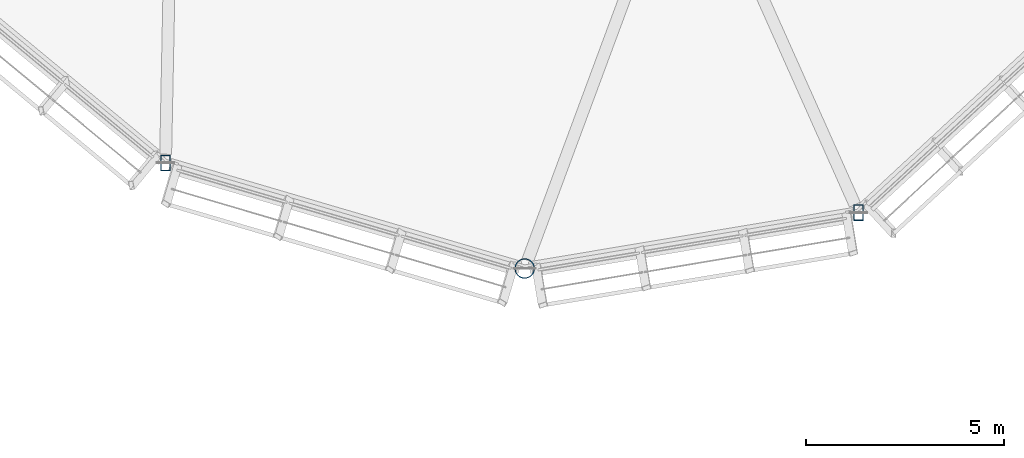
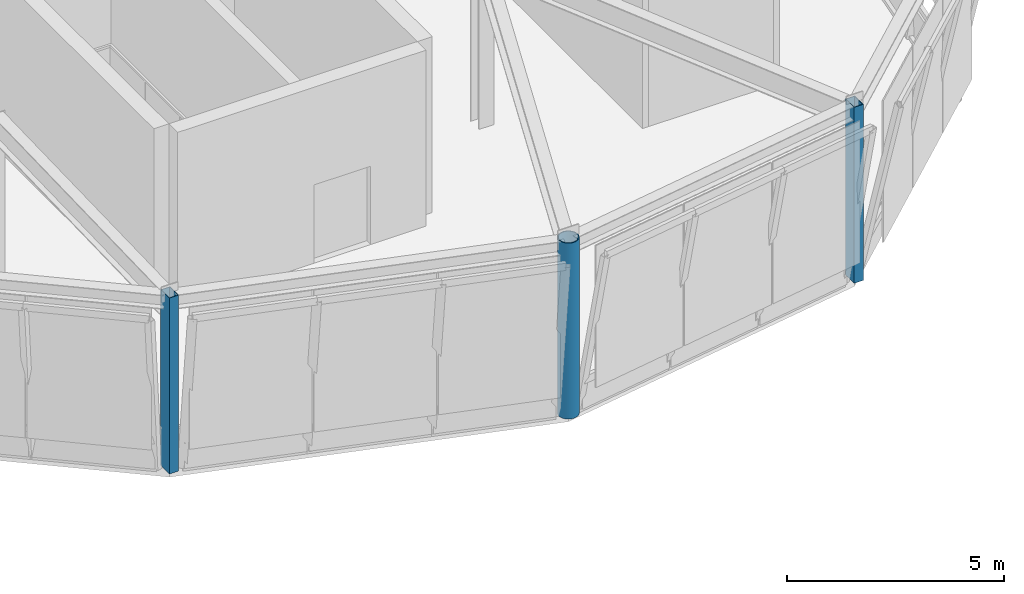
# One storey, part 4 of 113: 3 columns.
"""IFC4 building model written with IfcOpenShell, lengths in metres."""

import ifcopenshell
import ifcopenshell.guid

model = None  # the IFC model being written
_history = None  # IfcOwnerHistory: only IFC2X3 demands one
_inside = {}  # id of a spatial element -> (the spatial element, [elements in it])
_under = {}  # id of a project, library or spatial element -> (it, [spatial elements below it])
_declared = {}  # id of a project -> (the project, [libraries it declares])
_typed = {}  # id of a type object -> (the type object, [elements of that type])
_made_of = {}  # id of a material, layer set ... -> (it, [elements and type objects made of it])


def new_model(schema):
    """Start an empty IFC model of exactly this schema.

    Asked for "IFC4X3", IfcOpenShell would pick the latest addendum, in which some entities
    have other attributes; the version numbers below select the first issue.
    IFC2X3 requires an IfcOwnerHistory on every rooted entity: one is made here for all.
    """
    global model, _history
    if schema == "IFC4X3":
        model = ifcopenshell.file(schema_version=(4, 3, 0, 0))
    else:
        model = ifcopenshell.file(schema=schema)
    _inside.clear()
    _under.clear()
    _declared.clear()
    _typed.clear()
    _made_of.clear()
    _history = None
    if model.schema == "IFC2X3":
        org = make("IfcOrganization", Name="unknown")
        user = make(
            "IfcPersonAndOrganization",
            ThePerson=make("IfcPerson", FamilyName="unknown"),
            TheOrganization=org,
        )
        app = make(
            "IfcApplication",
            ApplicationDeveloper=org,
            Version="unknown",
            ApplicationFullName="unknown",
            ApplicationIdentifier="unknown",
        )
        _history = make(
            "IfcOwnerHistory",
            OwningUser=user,
            OwningApplication=app,
            ChangeAction="ADDED",
            CreationDate=0,
        )
    return model


def make(cls, **values):
    """One entity of the class cls with the attributes given. An attribute that is None is left unset."""
    return model.create_entity(
        cls, **{name: value for name, value in values.items() if value is not None}
    )


def rooted(cls, **values):
    """An entity with a GlobalId (a new one), such as an element, a storey or a relation."""
    return make(cls, GlobalId=ifcopenshell.guid.new(), OwnerHistory=_history, **values)


def si_unit(unit_type, name, prefix=None):
    """IfcSIUnit, for example si_unit("LENGTHUNIT", "METRE", prefix="MILLI")."""
    return make("IfcSIUnit", UnitType=unit_type, Prefix=prefix, Name=name)


def assignment(units):
    """IfcUnitAssignment: the units of a project."""
    return None if units is None else make("IfcUnitAssignment", Units=units)


def point(xyz):
    """IfcCartesianPoint."""
    return None if xyz is None else make("IfcCartesianPoint", Coordinates=xyz)


def direction(xyz):
    """IfcDirection."""
    return None if xyz is None else make("IfcDirection", DirectionRatios=xyz)


def frame(location, z_axis=None, x_axis=None):
    """IfcAxis2Placement3D, a coordinate frame: its origin and axes. An axis left out is left unset."""
    return make(
        "IfcAxis2Placement3D",
        Location=point(location),
        Axis=direction(z_axis),
        RefDirection=direction(x_axis),
    )


def frame_2d(location, x_axis=None):
    """IfcAxis2Placement2D, a coordinate frame in the plane: its origin and x axis."""
    return make(
        "IfcAxis2Placement2D", Location=point(location), RefDirection=direction(x_axis)
    )


def origin():
    """The frame at (0, 0, 0) with its axes left unset."""
    return frame((0.0, 0.0, 0.0))


def origin_2d():
    """The frame at (0, 0) in the plane with its x axis left unset."""
    return frame_2d((0.0, 0.0))


def place(relative_to, where):
    """IfcLocalPlacement: puts the frame where relative to a parent placement (None: the world)."""
    return make(
        "IfcLocalPlacement", PlacementRelTo=relative_to, RelativePlacement=where
    )


def context(
    kind, dimensions, precision=None, world=None, true_north=None, identifier=None
):
    """IfcGeometricRepresentationContext, for example the 3D "Model" context."""
    return make(
        "IfcGeometricRepresentationContext",
        ContextIdentifier=identifier,
        ContextType=kind,
        CoordinateSpaceDimension=dimensions,
        Precision=precision,
        WorldCoordinateSystem=world,
        TrueNorth=true_north,
    )


def subcontext(parent, identifier, kind, view, scale=None):
    """IfcGeometricRepresentationSubContext, for example "Body" below "Model"."""
    return make(
        "IfcGeometricRepresentationSubContext",
        ContextIdentifier=identifier,
        ContextType=kind,
        ParentContext=parent,
        TargetScale=scale,
        TargetView=view,
    )


def project(units=None, contexts=None):
    """IfcProject with its units and contexts."""
    return rooted(
        "IfcProject",
        Name="project",
        RepresentationContexts=contexts,
        UnitsInContext=assignment(units),
    )


def spatial(cls, under=None, at=None, **own):
    """A site, building, storey or space (cls), placed at a placement, below another one or the project."""
    s = rooted(cls, ObjectPlacement=at, **own)
    if under is not None:
        _under.setdefault(under.id(), (under, []))[1].append(s)
    return s


def profile(cls, at=None, kind="AREA", **sizes):
    """A parametric profile (cls). Its sizes go by their IFC names, for example OverallWidth=200.0."""
    return make(cls, ProfileType=kind, Position=at, **sizes)


def hollow_rectangle(**sizes):
    """IfcRectangleHollowProfileDef."""
    return profile("IfcRectangleHollowProfileDef", **sizes)


def hollow_circle(**sizes):
    """IfcCircleHollowProfileDef."""
    return profile("IfcCircleHollowProfileDef", **sizes)


def extrude(swept, where, along, depth):
    """IfcExtrudedAreaSolid: the profile swept, set in the frame where, extruded along a direction by depth."""
    return make(
        "IfcExtrudedAreaSolid",
        SweptArea=swept,
        Position=where,
        ExtrudedDirection=direction(along),
        Depth=depth,
    )


def shape(context_of_items, identifier, shape_type, items):
    """IfcShapeRepresentation: the items that make up one representation, for example the "Body"."""
    return make(
        "IfcShapeRepresentation",
        ContextOfItems=context_of_items,
        RepresentationIdentifier=identifier,
        RepresentationType=shape_type,
        Items=items,
    )


def material(Name=None, Category=None):
    """IfcMaterial."""
    return make("IfcMaterial", Name=Name, Category=Category)


def material_profile(
    of_material, cross_section, Name=None, Category=None, Priority=None
):
    """IfcMaterialProfile: a cross section and its material."""
    return make(
        "IfcMaterialProfile",
        Name=Name,
        Material=of_material,
        Profile=cross_section,
        Priority=Priority,
        Category=Category,
    )


def profile_set(profiles, Name=None, composite=None):
    """IfcMaterialProfileSet."""
    return make(
        "IfcMaterialProfileSet",
        Name=Name,
        MaterialProfiles=profiles,
        CompositeProfile=composite,
    )


def made_of(thing, what):
    """Note that an element or type object is made of a material, layer set ...; save() writes the relation."""
    if what is not None:
        _made_of.setdefault(what.id(), (what, []))[1].append(thing)
    return thing


def type_object(cls, material=None, **own):
    """A type object (cls), such as IfcWallType, which elements share."""
    return made_of(rooted(cls, **own), material)


def element(
    cls,
    number,
    at=None,
    inside=None,
    cuts=None,
    type_object=None,
    material=None,
    context=None,
    identifier="Body",
    shape_type=None,
    held_by="IfcProductDefinitionShape",
    body=None,
    shapes=None,
    **own,
):
    """One element of the class cls, such as IfcWall. Its Tag is "e" and its number.

    at: its placement. inside: the storey or other place that contains it. cuts: it is an
    opening in that element (IfcRelVoidsElement). A single representation is given by context,
    identifier, shape_type and body (its items); several are given by shapes. held_by: the class
    of the entity that holds the representations. save() writes the other relations.
    """
    e = rooted(cls, Tag="e%d" % number, ObjectPlacement=at, **own)
    if body is not None:
        shapes = [shape(context, identifier, shape_type, body)]
    if shapes is not None:
        e.Representation = make(held_by, Representations=shapes)
    if inside is not None:
        _inside.setdefault(inside.id(), (inside, []))[1].append(e)
    if cuts is not None:
        rooted(
            "IfcRelVoidsElement", RelatingBuildingElement=cuts, RelatedOpeningElement=e
        )
    if type_object is not None:
        _typed.setdefault(type_object.id(), (type_object, []))[1].append(e)
    return made_of(e, material)


def aggregate(whole, parts):
    """IfcRelAggregates: a whole, such as a stair, and the parts it consists of."""
    return rooted("IfcRelAggregates", RelatingObject=whole, RelatedObjects=parts)


def save(model, path):
    """Write the relations noted so far, then the file.

    IfcRelAggregates (storeys below a building ...), IfcRelContainedInSpatialStructure (elements
    in a storey), IfcRelDefinesByType, IfcRelAssociatesMaterial and IfcRelDeclares: one each for
    every whole, place, type object, material and project.
    """
    for whole, parts in _under.values():
        aggregate(whole, parts)
    for where, things in _inside.values():
        rooted(
            "IfcRelContainedInSpatialStructure",
            RelatedElements=things,
            RelatingStructure=where,
        )
    for kind, things in _typed.values():
        rooted("IfcRelDefinesByType", RelatedObjects=things, RelatingType=kind)
    for what, things in _made_of.values():
        rooted("IfcRelAssociatesMaterial", RelatedObjects=things, RelatingMaterial=what)
    for by, libraries in _declared.values():
        rooted("IfcRelDeclares", RelatingContext=by, RelatedDefinitions=libraries)
    model.write(path)


model = new_model("IFC4")

# Units and contexts
model_context = context("Model", 3, precision=1e-05, world=origin(), true_north=direction((0.0, 1.0)))
body_context = subcontext(model_context, "Body", "Model", "MODEL_VIEW")
ifc_project = project(units=[si_unit("LENGTHUNIT", "METRE"), si_unit("AREAUNIT", "SQUARE_METRE"), si_unit("VOLUMEUNIT", "CUBIC_METRE"), si_unit("PLANEANGLEUNIT", "RADIAN"), si_unit("MASSUNIT", "GRAM", prefix="KILO")], contexts=[model_context])

# Site, building, storey
site_placement = place(None, origin())
site = spatial("IfcSite", under=ifc_project, at=site_placement, CompositionType="ELEMENT")
building_placement = place(site_placement, origin())
building = spatial("IfcBuilding", under=site, at=building_placement, Name="Linyun Crest Stadium", CompositionType="ELEMENT")
storey_placement = place(building_placement, frame((0.0, 0.0, 26.39990234375)))
storey = spatial("IfcBuildingStorey", under=building, at=storey_placement, Name="L06", CompositionType="ELEMENT", Elevation=26.39990234375)

# Columns
ifc_material_1 = material(Name="Steel Q355C", Category="steel")
ifc_material_profile_1 = material_profile(ifc_material_1, hollow_circle(Radius=0.25390625, WallThickness=0.02490234375, at=origin_2d()), Name="CHS 508x25")
ifc_profile_set_1 = profile_set([ifc_material_profile_1], Name="Steel Q355C")
column_type_1 = type_object("IfcColumnType", Name="SC05", PredefinedType="COLUMN", material=ifc_profile_set_1)
column_placement = place(storey_placement, frame((-71.10595703125, 69.424072265625, 0.0), z_axis=(0.0, 0.0, 1.0), x_axis=(1.0, 0.0, 0.0)))
element("IfcColumn", 1, at=column_placement, inside=storey, type_object=column_type_1, Name="Pod perimeter column SC05 L06 989", PredefinedType="COLUMN", context=body_context, shape_type="SweptSolid", body=[
    extrude(hollow_circle(Radius=0.25390625, WallThickness=0.02490234375, at=origin_2d()), origin(), (0.0, 0.0, 1.0), 4.945068359375),
])
ifc_material_2 = material(Name="Steel Q355C", Category="steel")
ifc_material_profile_2 = material_profile(ifc_material_2, hollow_rectangle(XDim=0.25, YDim=0.39990234375, WallThickness=0.01611328125, at=origin_2d()), Name="RHS 400x250x16")
ifc_profile_set_2 = profile_set([ifc_material_profile_2], Name="Steel Q355C")
column_type_2 = type_object("IfcColumnType", Name="SC06", PredefinedType="COLUMN", material=ifc_profile_set_2)
for number, where, z_axis, x_axis, name in (
    (2, (-80.166015625, 72.0869140625, 0.0), (0.0, 0.0, 1.0), (1.0, 0.0, 0.0), "Pod perimeter column SC06 L06 985"),
    (3, (-62.68701171875, 70.833984375, 0.0), (0.0, 0.0, 1.0), (1.0, 0.0, 0.0), "Pod perimeter column SC06 L06 993"),
):
    element("IfcColumn", number, at=place(storey_placement, frame(where, z_axis=z_axis, x_axis=x_axis)), inside=storey, type_object=column_type_2, Name=name, PredefinedType="COLUMN", context=body_context, shape_type="SweptSolid", body=[
        extrude(hollow_rectangle(XDim=0.25, YDim=0.39990234375, WallThickness=0.01611328125, at=origin_2d()), origin(), (0.0, 0.0, 1.0), 4.945068359375),
    ])

save(model, "model.ifc")
